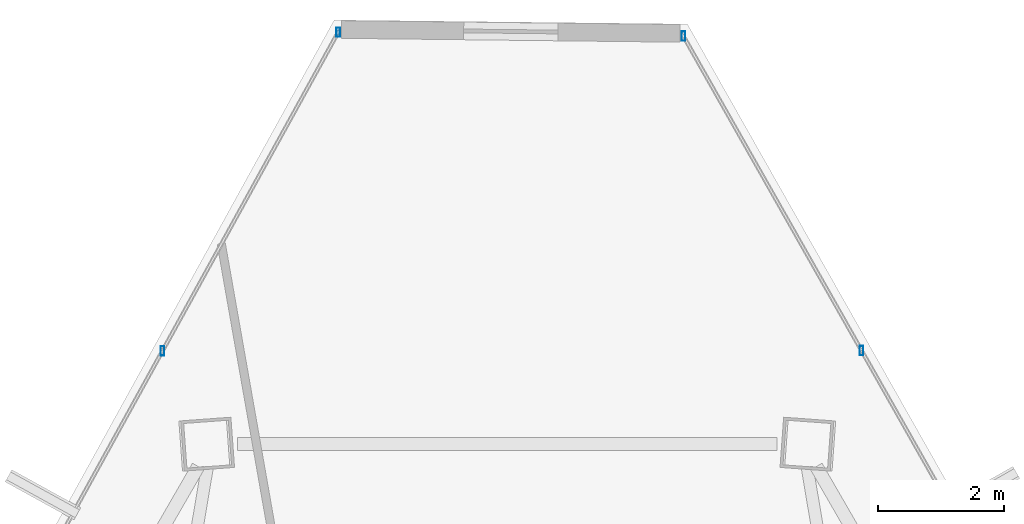
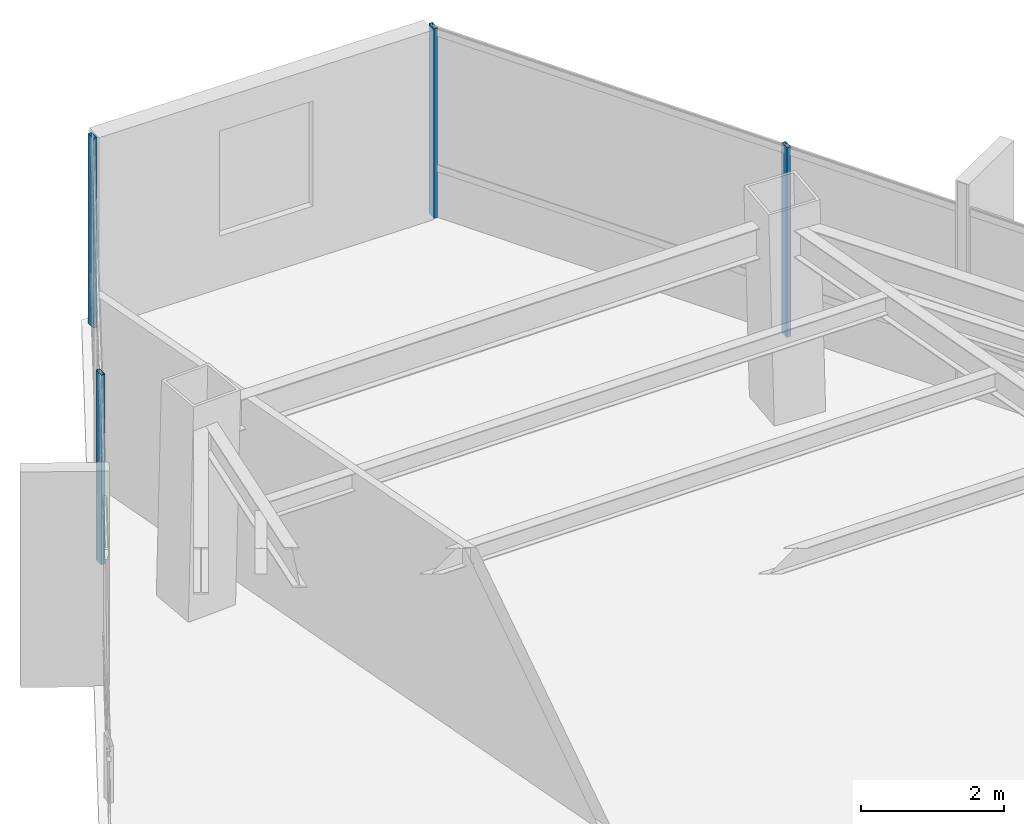
# One storey, part 31 of 40: 4 members, 2 elements without a shape of their own.
"""IFC4 building model written with IfcOpenShell, lengths in metres."""

from ifc_helpers import new_model, si_unit, direction, frame, origin, origin_2d, place, context, subcontext, project, spatial, hollow_rectangle, extrude, source, transform, mapped, material, material_profile, profile_set, type_object, type_shapes, element, aggregate, save


model = new_model("IFC4")

# Units and contexts
model_context = context("Model", 3, precision=1e-05, world=origin(), true_north=direction((0.0, 1.0)))
body_context = subcontext(model_context, "Body", "Model", "MODEL_VIEW")
ifc_project = project(units=[si_unit("LENGTHUNIT", "METRE"), si_unit("AREAUNIT", "SQUARE_METRE"), si_unit("VOLUMEUNIT", "CUBIC_METRE"), si_unit("PLANEANGLEUNIT", "RADIAN"), si_unit("MASSUNIT", "GRAM", prefix="KILO")], contexts=[model_context])

# Site, building, storey
site_placement = place(None, origin())
site = spatial("IfcSite", under=ifc_project, at=site_placement, CompositionType="ELEMENT")
building_placement = place(site_placement, origin())
building = spatial("IfcBuilding", under=site, at=building_placement, Name="Caelisora Broadcast Tower", CompositionType="ELEMENT")
storey_placement = place(building_placement, frame((0.0, 0.0, 216.89990234375)))
storey = spatial("IfcBuildingStorey", under=building, at=storey_placement, Name="L57", CompositionType="ELEMENT", Elevation=216.89990234375)

# Curtain wall, members
ifc_material_1 = material(Name="Unitised Aluminium and Low-E Glass Curtain Wall", Category="glass")
curtain_wall_type = type_object("IfcCurtainWallType", Name="CW-Z4", PredefinedType="NOTDEFINED", material=ifc_material_1)
curtain_wall_1_placement = place(storey_placement, origin())
curtain_wall_1 = element("IfcCurtainWall", 1, at=curtain_wall_1_placement, inside=storey, type_object=curtain_wall_type, Name="L57 curtain wall CW-Z4", PredefinedType="NOTDEFINED")
ifc_material_2 = material(Name="Aluminium 6063-T6 Anodised Terracotta Bronze", Category="aluminium")
ifc_material_profile = material_profile(ifc_material_2, hollow_rectangle(XDim=0.06005859375, YDim=0.14990234375, WallThickness=0.00341796875, at=origin_2d()), Name="Aluminium 6063-T6 Anodised Terracotta Bronze")
ifc_profile_set = profile_set([ifc_material_profile], Name="Aluminium 6063-T6 Anodised Terracotta Bronze")
member_type = type_object("IfcMemberType", Name="CWM-03", PredefinedType="MULLION", material=ifc_profile_set)
shared_shape = source(origin(), body_context, "Body", "SweptSolid", [
    extrude(hollow_rectangle(XDim=0.06005859375, YDim=0.14990234375, WallThickness=0.00341796875, at=origin_2d()), origin(), (0.0, 0.0, 1.0), 3.25),
])
type_shapes(member_type, [shared_shape])
member_1_placement = place(storey_placement, frame((40.798583984375, 53.089599609375, 0.0), z_axis=(0.0, 0.0, 1.0), x_axis=(1.0, 0.0, 0.0)))
member_1 = element("IfcMember", 2, at=member_1_placement, type_object=member_type, Name="L57-CW-B01 mullion #0", PredefinedType="MULLION", context=body_context, shape_type="MappedRepresentation", body=[
    mapped(shared_shape, transform((0.0, 0.0, 0.0), scale=1.0)),
])
member_2_placement = place(storey_placement, frame((43.62841796875, 48.094482421875, 0.0), z_axis=(0.0, 0.0, 1.0), x_axis=(1.0, 0.0, 0.0)))
member_2 = element("IfcMember", 3, at=member_2_placement, type_object=member_type, Name="L57-CW-B01 mullion #1", PredefinedType="MULLION", context=body_context, shape_type="MappedRepresentation", body=[
    mapped(shared_shape, transform((0.0, 0.0, 0.0), scale=1.0)),
])
aggregate(curtain_wall_1, [member_1, member_2])

curtain_wall_2_placement = place(storey_placement, origin())
curtain_wall_2 = element("IfcCurtainWall", 4, at=curtain_wall_2_placement, inside=storey, type_object=curtain_wall_type, Name="L57 curtain wall CW-Z4", PredefinedType="NOTDEFINED")
member_3_placement = place(storey_placement, frame((32.52197265625, 48.088134765625, 0.0), z_axis=(0.0, 0.0, 1.0), x_axis=(1.0, 0.0, 0.0)))
member_3 = element("IfcMember", 5, at=member_3_placement, type_object=member_type, Name="L57-CW-B11 mullion #2", PredefinedType="MULLION", context=body_context, shape_type="MappedRepresentation", body=[
    mapped(shared_shape, transform((0.0, 0.0, 0.0), scale=1.0)),
])
member_4_placement = place(storey_placement, frame((35.31396484375, 53.151123046875, 0.0), z_axis=(0.0, 0.0, 1.0), x_axis=(1.0, 0.0, 0.0)))
member_4 = element("IfcMember", 6, at=member_4_placement, type_object=member_type, Name="L57-CW-B11 mullion #3", PredefinedType="MULLION", context=body_context, shape_type="MappedRepresentation", body=[
    mapped(shared_shape, transform((0.0, 0.0, 0.0), scale=1.0)),
])
aggregate(curtain_wall_2, [member_3, member_4])

save(model, "model.ifc")
